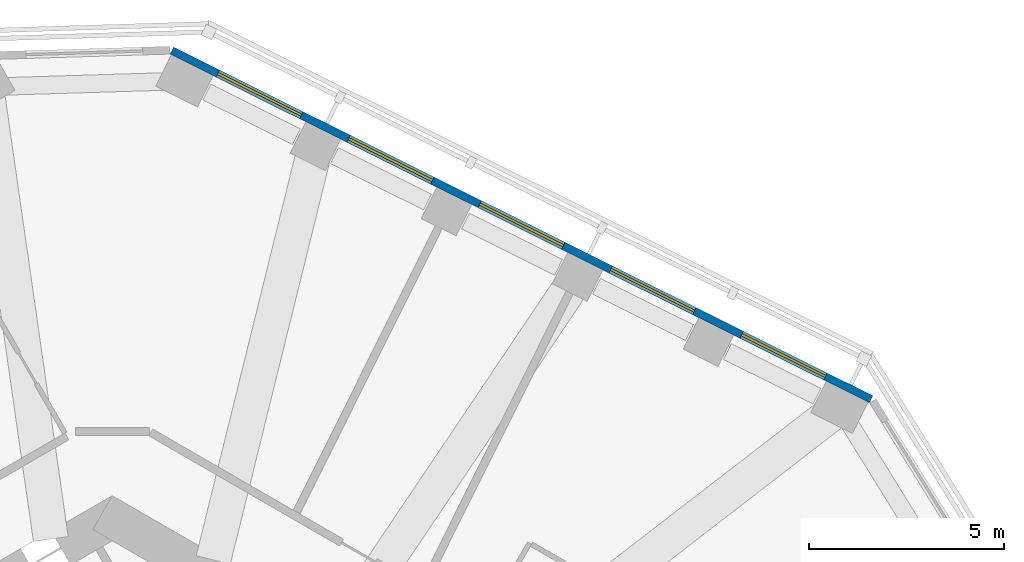
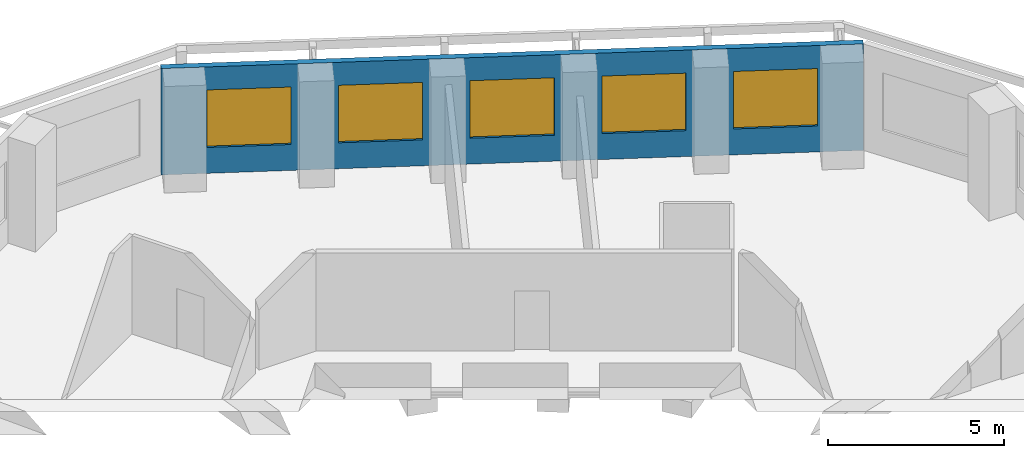
# One storey, part 8 of 11: 5 windows, 1 wall, 5 openings.
"""IFC4 building model written with IfcOpenShell, lengths in metres."""

from ifc_helpers import new_model, si_unit, direction, frame, frame_2d, origin, place, context, subcontext, project, spatial, rectangle, extrude, material, layer, layer_set, type_object, element, fill, save


model = new_model("IFC4")

# Units and contexts
model_context = context("Model", 3, precision=1e-05, world=origin(), true_north=direction((0.0, 1.0)))
body_context = subcontext(model_context, "Body", "Model", "MODEL_VIEW")
ifc_project = project(units=[si_unit("LENGTHUNIT", "METRE"), si_unit("AREAUNIT", "SQUARE_METRE"), si_unit("VOLUMEUNIT", "CUBIC_METRE"), si_unit("PLANEANGLEUNIT", "RADIAN"), si_unit("MASSUNIT", "GRAM", prefix="KILO")], contexts=[model_context])

# Site, building, storey
site_placement = place(None, origin())
site = spatial("IfcSite", under=ifc_project, at=site_placement, CompositionType="ELEMENT")
building_placement = place(site_placement, origin())
building = spatial("IfcBuilding", under=site, at=building_placement, Name="Vanh Sen Convention Tower", CompositionType="ELEMENT")
storey_placement = place(building_placement, frame((0.0, 0.0, 154.0)))
storey = spatial("IfcBuildingStorey", under=building, at=storey_placement, Name="L37", CompositionType="ELEMENT", Elevation=154.0)

# Wall, openings, windows
ifc_material_1 = material(Name="Insulated lightweight infill wall")
ifc_layer = layer(ifc_material_1, 0.199951171875)
ifc_layer_set = layer_set([ifc_layer], Name="Insulated lightweight infill wall")
wall_type = type_object("IfcWallType", Name="External wall 200", PredefinedType="STANDARD", material=ifc_layer_set)
wall_placement = place(storey_placement, frame((19.46435546875, 14.598876953125, 0.0), z_axis=(0.0, 0.0, 1.0), x_axis=(-0.894935755043, 0.446195018289, 0.0)))
wall = element("IfcWall", 1, at=wall_placement, inside=storey, type_object=wall_type, Name="External wall NE L37", PredefinedType="STANDARD", context=body_context, shape_type="SweptSolid", body=[
    extrude(rectangle(XDim=20.043701171875, YDim=0.199951171875, at=frame_2d((10.02197265625, 0.0))), origin(), (0.0, 0.0, 1.0), 3.699951171875),
])
opening_1_placement = place(wall_placement, frame((1.31298828125, 0.0, 0.89990234375)))
opening_1 = element("IfcOpeningElement", 2, at=opening_1_placement, cuts=wall, Name="Opening WO1-NE1", PredefinedType="OPENING", context=body_context, shape_type="SweptSolid", body=[
    extrude(rectangle(XDim=2.39990234375, YDim=2.0, at=frame_2d((1.199951171875, 1.0))), frame((0.0, 0.10986328125, 0.0), z_axis=(0.0, -1.0, 0.0), x_axis=(1.0, 0.0, 0.0)), (0.0, 0.0, 1.0), 0.219970703125),
])
opening_2_placement = place(wall_placement, frame((5.06689453125, 0.0, 0.89990234375)))
opening_2 = element("IfcOpeningElement", 3, at=opening_2_placement, cuts=wall, Name="Opening WO1-NE2", PredefinedType="OPENING", context=body_context, shape_type="SweptSolid", body=[
    extrude(rectangle(XDim=2.39990234375, YDim=2.0, at=frame_2d((1.199951171875, 1.0))), frame((0.0, 0.10986328125, 0.0), z_axis=(0.0, -1.0, 0.0), x_axis=(1.0, 0.0, 0.0)), (0.0, 0.0, 1.0), 0.219970703125),
])
opening_3_placement = place(wall_placement, frame((8.821044921875, 0.0, 0.89990234375)))
opening_3 = element("IfcOpeningElement", 4, at=opening_3_placement, cuts=wall, Name="Opening WO1-NE3", PredefinedType="OPENING", context=body_context, shape_type="SweptSolid", body=[
    extrude(rectangle(XDim=2.39990234375, YDim=2.0, at=frame_2d((1.199951171875, 1.0))), frame((0.0, 0.10986328125, 0.0), z_axis=(0.0, -1.0, 0.0), x_axis=(1.0, 0.0, 0.0)), (0.0, 0.0, 1.0), 0.219970703125),
])
opening_4_placement = place(wall_placement, frame((12.5751953125, 0.0, 0.89990234375)))
opening_4 = element("IfcOpeningElement", 5, at=opening_4_placement, cuts=wall, Name="Opening WO1-NE4", PredefinedType="OPENING", context=body_context, shape_type="SweptSolid", body=[
    extrude(rectangle(XDim=2.39990234375, YDim=2.0, at=frame_2d((1.199951171875, 1.0))), frame((0.0, 0.10986328125, 0.0), z_axis=(0.0, -1.0, 0.0), x_axis=(1.0, 0.0, 0.0)), (0.0, 0.0, 1.0), 0.219970703125),
])
opening_5_placement = place(wall_placement, frame((16.329345703125, 0.0, 0.89990234375)))
opening_5 = element("IfcOpeningElement", 6, at=opening_5_placement, cuts=wall, Name="Opening WO1-NE5", PredefinedType="OPENING", context=body_context, shape_type="SweptSolid", body=[
    extrude(rectangle(XDim=2.39990234375, YDim=2.0, at=frame_2d((1.199951171875, 1.0))), frame((0.0, 0.10986328125, 0.0), z_axis=(0.0, -1.0, 0.0), x_axis=(1.0, 0.0, 0.0)), (0.0, 0.0, 1.0), 0.219970703125),
])
ifc_material_2 = material(Name="Aluminium frame with clear low-emissivity glass", Category="aluminium")
window_type = type_object("IfcWindowType", Name="Office window 2400 x 2000", PartitioningType="SINGLE_PANEL", PredefinedType="WINDOW", material=ifc_material_2)
window_1_placement = place(opening_1_placement, origin())
window_1 = element("IfcWindow", 7, at=window_1_placement, inside=storey, type_object=window_type, Name="Window WO1-NE1", OverallHeight=2.0, OverallWidth=2.39990234375, PartitioningType="SINGLE_PANEL", PredefinedType="WINDOW", context=body_context, shape_type="SweptSolid", body=[
    extrude(rectangle(XDim=2.39990234375, YDim=2.0, at=frame_2d((1.199951171875, 1.0))), frame((0.0, 0.030029296875, 0.0), z_axis=(0.0, -1.0, 0.0), x_axis=(1.0, 0.0, 0.0)), (0.0, 0.0, 1.0), 0.06005859375),
])
fill(opening_1, window_1)
window_2_placement = place(opening_2_placement, origin())
window_2 = element("IfcWindow", 8, at=window_2_placement, inside=storey, type_object=window_type, Name="Window WO1-NE2", OverallHeight=2.0, OverallWidth=2.39990234375, PartitioningType="SINGLE_PANEL", PredefinedType="WINDOW", context=body_context, shape_type="SweptSolid", body=[
    extrude(rectangle(XDim=2.39990234375, YDim=2.0, at=frame_2d((1.199951171875, 1.0))), frame((0.0, 0.030029296875, 0.0), z_axis=(0.0, -1.0, 0.0), x_axis=(1.0, 0.0, 0.0)), (0.0, 0.0, 1.0), 0.06005859375),
])
fill(opening_2, window_2)
window_3_placement = place(opening_3_placement, origin())
window_3 = element("IfcWindow", 9, at=window_3_placement, inside=storey, type_object=window_type, Name="Window WO1-NE3", OverallHeight=2.0, OverallWidth=2.39990234375, PartitioningType="SINGLE_PANEL", PredefinedType="WINDOW", context=body_context, shape_type="SweptSolid", body=[
    extrude(rectangle(XDim=2.39990234375, YDim=2.0, at=frame_2d((1.199951171875, 1.0))), frame((0.0, 0.030029296875, 0.0), z_axis=(0.0, -1.0, 0.0), x_axis=(1.0, 0.0, 0.0)), (0.0, 0.0, 1.0), 0.06005859375),
])
fill(opening_3, window_3)
window_4_placement = place(opening_4_placement, origin())
window_4 = element("IfcWindow", 10, at=window_4_placement, inside=storey, type_object=window_type, Name="Window WO1-NE4", OverallHeight=2.0, OverallWidth=2.39990234375, PartitioningType="SINGLE_PANEL", PredefinedType="WINDOW", context=body_context, shape_type="SweptSolid", body=[
    extrude(rectangle(XDim=2.39990234375, YDim=2.0, at=frame_2d((1.199951171875, 1.0))), frame((0.0, 0.030029296875, 0.0), z_axis=(0.0, -1.0, 0.0), x_axis=(1.0, 0.0, 0.0)), (0.0, 0.0, 1.0), 0.06005859375),
])
fill(opening_4, window_4)
window_5_placement = place(opening_5_placement, origin())
window_5 = element("IfcWindow", 11, at=window_5_placement, inside=storey, type_object=window_type, Name="Window WO1-NE5", OverallHeight=2.0, OverallWidth=2.39990234375, PartitioningType="SINGLE_PANEL", PredefinedType="WINDOW", context=body_context, shape_type="SweptSolid", body=[
    extrude(rectangle(XDim=2.39990234375, YDim=2.0, at=frame_2d((1.199951171875, 1.0))), frame((0.0, 0.030029296875, 0.0), z_axis=(0.0, -1.0, 0.0), x_axis=(1.0, 0.0, 0.0)), (0.0, 0.0, 1.0), 0.06005859375),
])
fill(opening_5, window_5)

save(model, "model.ifc")
